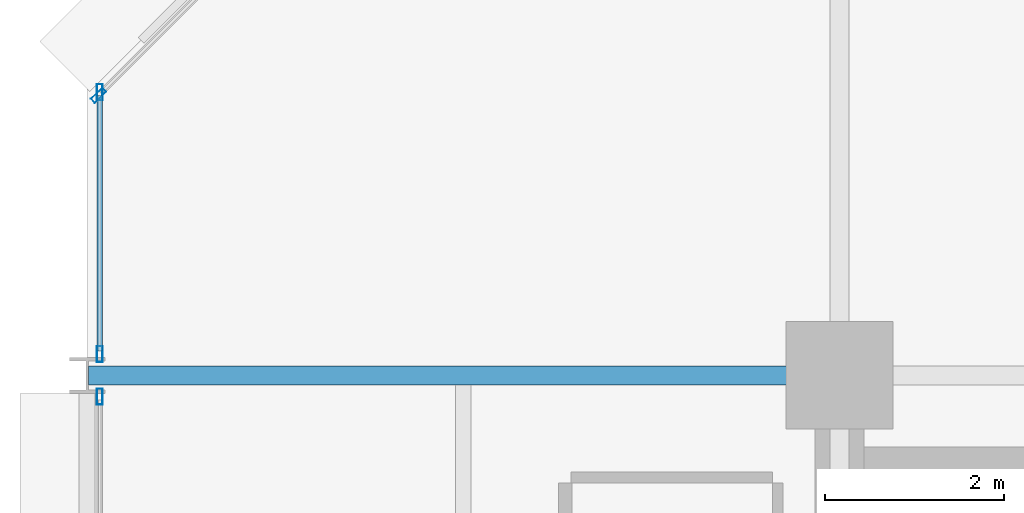
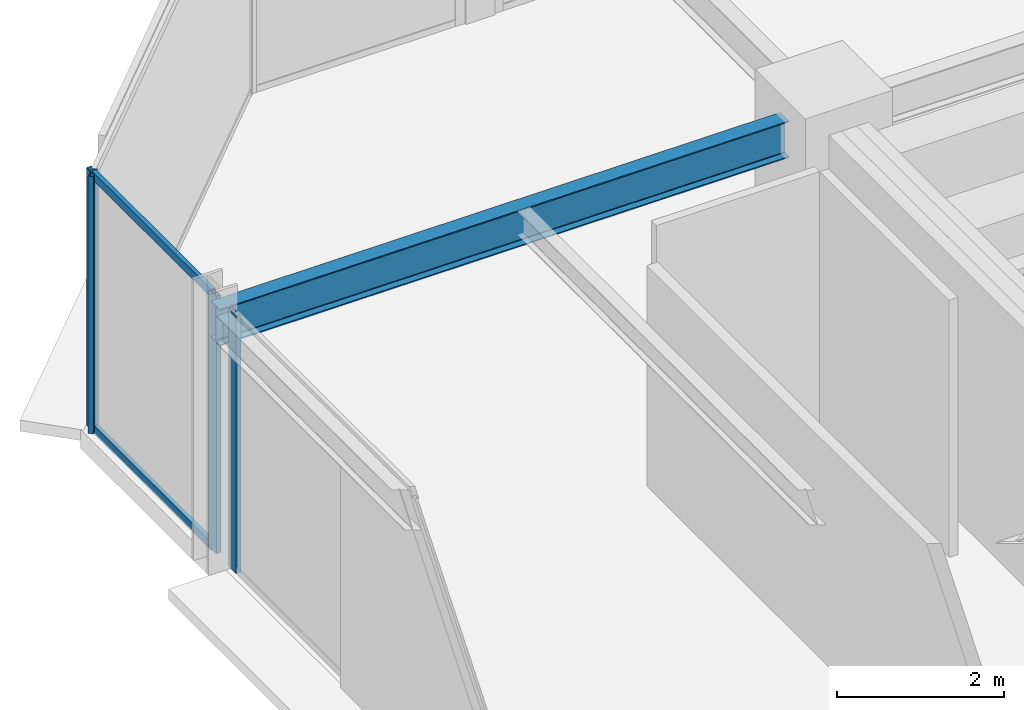
# One storey, part 25 of 40: 6 members, 1 beam, 3 elements without a shape of their own.
"""IFC4 building model written with IfcOpenShell, lengths in metres."""

from ifc_helpers import new_model, si_unit, direction, frame, origin, origin_2d, place, context, subcontext, project, spatial, hollow_rectangle, i_section, extrude, material, layer, layer_set, material_profile, profile_set, type_object, element, aggregate, save


model = new_model("IFC4")

# Units and contexts
model_context = context("Model", 3, precision=1e-05, world=origin(), true_north=direction((0.0, 1.0)))
body_context = subcontext(model_context, "Body", "Model", "MODEL_VIEW")
ifc_project = project(units=[si_unit("LENGTHUNIT", "METRE"), si_unit("AREAUNIT", "SQUARE_METRE"), si_unit("VOLUMEUNIT", "CUBIC_METRE"), si_unit("PLANEANGLEUNIT", "RADIAN"), si_unit("MASSUNIT", "GRAM", prefix="KILO")], contexts=[model_context])

# Site, building, storey
site_placement = place(None, origin())
site = spatial("IfcSite", under=ifc_project, at=site_placement, CompositionType="ELEMENT")
building_placement = place(site_placement, origin())
building = spatial("IfcBuilding", under=site, at=building_placement, Name="Nerrivon Quay Data Exchange", CompositionType="ELEMENT")
storey_placement = place(building_placement, frame((0.0, 0.0, 109.0)))
storey = spatial("IfcBuildingStorey", under=building, at=storey_placement, Name="L25", CompositionType="ELEMENT", Elevation=109.0)

# Beam
ifc_material_1 = material(Name="Steel Grade 350", Category="steel")
ifc_material_profile_1 = material_profile(ifc_material_1, i_section(OverallWidth=0.208984375, OverallDepth=0.532958984375, WebThickness=0.01025390625, FlangeThickness=0.015625, FilletRadius=0.013916015625, at=origin_2d()), Name="530UB92.4")
ifc_profile_set_1 = profile_set([ifc_material_profile_1], Name="Steel Grade 350")
beam_type = type_object("IfcBeamType", Name="BM-G3-530UB92", PredefinedType="BEAM", material=ifc_profile_set_1)
beam_placement = place(storey_placement, frame((0.012451171875, 42.0, 3.4833984375), z_axis=(1.0, 0.0, 0.0), x_axis=(0.0, 1.0, 0.0)))
element("IfcBeam", 1, at=beam_placement, inside=storey, type_object=beam_type, Name="L25 EW Girder Y=42.0 (0.0..8.4)", PredefinedType="BEAM", context=body_context, shape_type="SweptSolid", body=[
    extrude(i_section(OverallWidth=0.208984375, OverallDepth=0.532958984375, WebThickness=0.01025390625, FlangeThickness=0.015625, FilletRadius=0.013916015625, at=origin_2d()), origin(), (0.0, 0.0, 1.0), 7.84765625),
])

# Curtain wall, member
ifc_material_2 = material(Name="Anodised aluminium 6063-T6", Category="aluminium")
ifc_layer = layer(ifc_material_2, 0.2099609375)
ifc_layer_set = layer_set([ifc_layer], Name="Anodised aluminium 6063-T6")
curtain_wall_type = type_object("IfcCurtainWallType", Name="CW-SYS-02", PredefinedType="NOTDEFINED", material=ifc_layer_set)
curtain_wall_1_placement = place(storey_placement, origin())
curtain_wall_1 = element("IfcCurtainWall", 2, at=curtain_wall_1_placement, inside=storey, type_object=curtain_wall_type, Name="L25 Unitised Curtain Wall 21", PredefinedType="NOTDEFINED")
ifc_material_profile_2 = material_profile(ifc_material_2, hollow_rectangle(XDim=0.06494140625, YDim=0.179931640625, WallThickness=0.00341796875, at=origin_2d()), Name="ALU-MULL-180x65")
ifc_profile_set_2 = profile_set([ifc_material_profile_2], Name="Anodised aluminium 6063-T6")
member_type_1 = type_object("IfcMemberType", Name="CWM-180x65", PredefinedType="MULLION", material=ifc_profile_set_2)
member_1_placement = place(storey_placement, frame((0.139892578125, 41.762451171875, 0.0), z_axis=(0.0, 0.0, 1.0), x_axis=(-1.0, 0.0, 0.0)))
member_1 = element("IfcMember", 3, at=member_1_placement, type_object=member_type_1, Name="CW02 mullion 2", PredefinedType="MULLION", context=body_context, shape_type="SweptSolid", body=[
    extrude(hollow_rectangle(XDim=0.06494140625, YDim=0.179931640625, WallThickness=0.00341796875, at=origin_2d()), origin(), (0.0, 0.0, 1.0), 3.75),
])
aggregate(curtain_wall_1, [member_1])

# Curtain wall, members
curtain_wall_2_placement = place(storey_placement, origin())
curtain_wall_2 = element("IfcCurtainWall", 4, at=curtain_wall_2_placement, inside=storey, type_object=curtain_wall_type, Name="L25 Unitised Curtain Wall 22", PredefinedType="NOTDEFINED")
member_2_placement = place(storey_placement, frame((0.139892578125, 42.237548828125, 0.0), z_axis=(0.0, 0.0, 1.0), x_axis=(-1.0, 0.0, 0.0)))
member_2 = element("IfcMember", 5, at=member_2_placement, type_object=member_type_1, Name="CW02 mullion 1", PredefinedType="MULLION", context=body_context, shape_type="SweptSolid", body=[
    extrude(hollow_rectangle(XDim=0.06494140625, YDim=0.179931640625, WallThickness=0.00341796875, at=origin_2d()), origin(), (0.0, 0.0, 1.0), 3.75),
])
member_3_placement = place(storey_placement, frame((0.139892578125, 45.16259765625, 0.0), z_axis=(0.0, 0.0, 1.0), x_axis=(-1.0, 0.0, 0.0)))
member_3 = element("IfcMember", 6, at=member_3_placement, type_object=member_type_1, Name="CW02 mullion 2", PredefinedType="MULLION", context=body_context, shape_type="SweptSolid", body=[
    extrude(hollow_rectangle(XDim=0.06494140625, YDim=0.179931640625, WallThickness=0.00341796875, at=origin_2d()), origin(), (0.0, 0.0, 1.0), 3.75),
])

# Curtain wall, member
curtain_wall_3_placement = place(storey_placement, origin())
curtain_wall_3 = element("IfcCurtainWall", 7, at=curtain_wall_3_placement, inside=storey, type_object=curtain_wall_type, Name="L25 Unitised Curtain Wall 23", PredefinedType="NOTDEFINED")
member_4_placement = place(storey_placement, frame((0.12548828125, 45.12744140625, 0.0), z_axis=(0.0, 0.0, 1.0), x_axis=(-0.707106781187, 0.707106781187, 0.0)))
member_4 = element("IfcMember", 8, at=member_4_placement, type_object=member_type_1, Name="CW02 mullion 1", PredefinedType="MULLION", context=body_context, shape_type="SweptSolid", body=[
    extrude(hollow_rectangle(XDim=0.06494140625, YDim=0.179931640625, WallThickness=0.00341796875, at=origin_2d()), origin(), (0.0, 0.0, 1.0), 3.75),
])
aggregate(curtain_wall_3, [member_4])

# Member
ifc_material_profile_3 = material_profile(ifc_material_2, hollow_rectangle(XDim=0.06005859375, YDim=0.1201171875, WallThickness=0.003173828125, at=origin_2d()), Name="ALU-TRAN-120x60")
ifc_profile_set_3 = profile_set([ifc_material_profile_3], Name="Anodised aluminium 6063-T6")
member_type_2 = type_object("IfcMemberType", Name="CWT-120x60", PredefinedType="USERDEFINED", material=ifc_profile_set_3)
member_5_placement = place(storey_placement, frame((0.139892578125, 42.27490234375, 0.032470703125), z_axis=(0.0, 1.0, 0.0), x_axis=(-1.0, 0.0, 0.0)))
member_5 = element("IfcMember", 9, at=member_5_placement, type_object=member_type_2, Name="CW02 transom 1.1", ObjectType="TRANSOM", PredefinedType="USERDEFINED", context=body_context, shape_type="SweptSolid", body=[
    extrude(hollow_rectangle(XDim=0.06005859375, YDim=0.1201171875, WallThickness=0.003173828125, at=origin_2d()), origin(), (0.0, 0.0, 1.0), 2.85009765625),
])

member_6_placement = place(storey_placement, frame((0.139892578125, 42.27490234375, 3.717529296875), z_axis=(0.0, 1.0, 0.0), x_axis=(-1.0, 0.0, 0.0)))
member_6 = element("IfcMember", 10, at=member_6_placement, type_object=member_type_2, Name="CW02 transom 1.2", ObjectType="TRANSOM", PredefinedType="USERDEFINED", context=body_context, shape_type="SweptSolid", body=[
    extrude(hollow_rectangle(XDim=0.06005859375, YDim=0.1201171875, WallThickness=0.003173828125, at=origin_2d()), origin(), (0.0, 0.0, 1.0), 2.85009765625),
])

aggregate(curtain_wall_2, [member_2, member_3, member_5, member_6])

save(model, "model.ifc")
